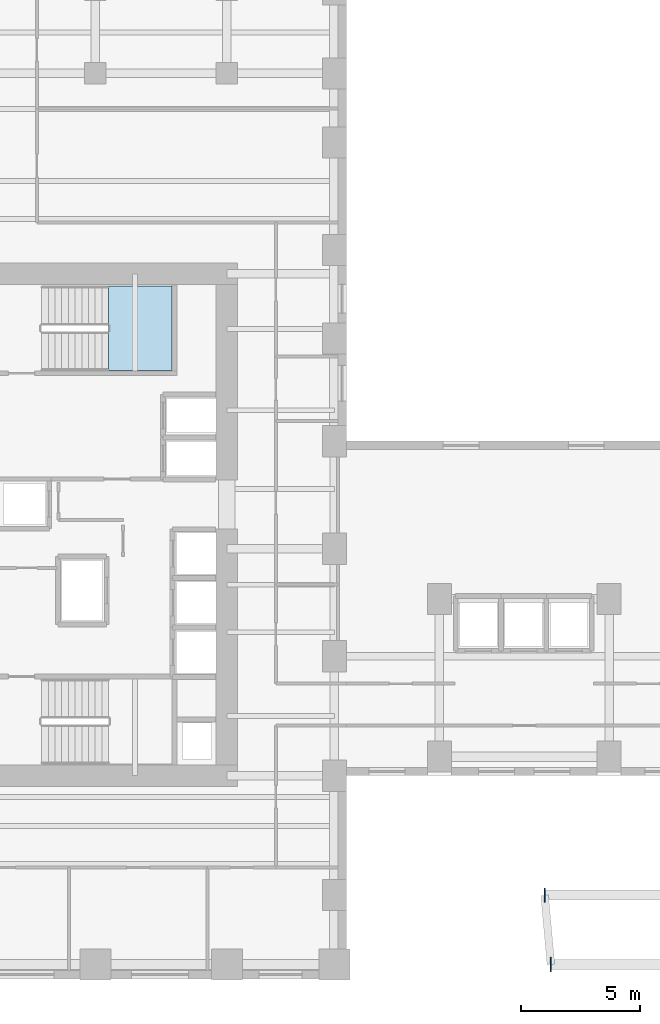
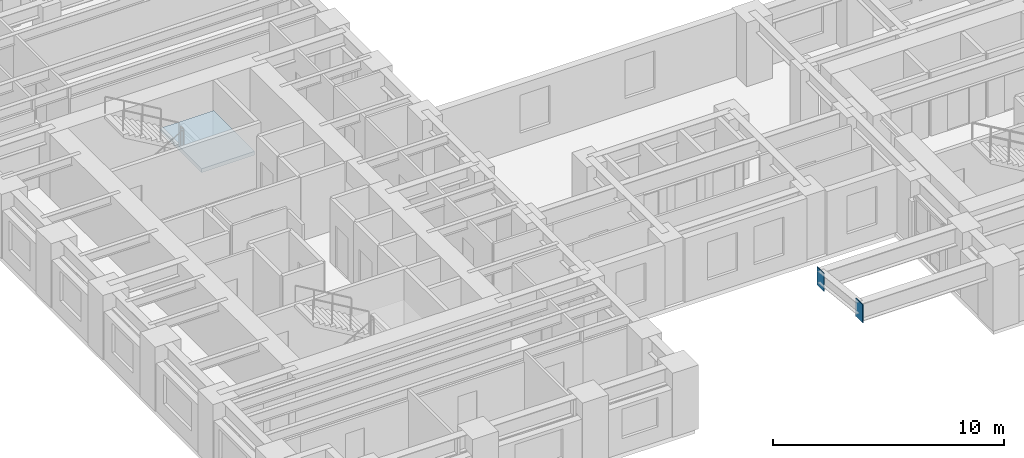
# One storey, part 5 of 14: 2 plates, 1 slab, 1 element without a shape of its own.
"""IFC4 building model written with IfcOpenShell, lengths in metres."""

import ifcopenshell
import ifcopenshell.guid

model = None  # the IFC model being written
_history = None  # IfcOwnerHistory: only IFC2X3 demands one
_inside = {}  # id of a spatial element -> (the spatial element, [elements in it])
_under = {}  # id of a project, library or spatial element -> (it, [spatial elements below it])
_declared = {}  # id of a project -> (the project, [libraries it declares])
_typed = {}  # id of a type object -> (the type object, [elements of that type])
_made_of = {}  # id of a material, layer set ... -> (it, [elements and type objects made of it])


def new_model(schema):
    """Start an empty IFC model of exactly this schema.

    Asked for "IFC4X3", IfcOpenShell would pick the latest addendum, in which some entities
    have other attributes; the version numbers below select the first issue.
    IFC2X3 requires an IfcOwnerHistory on every rooted entity: one is made here for all.
    """
    global model, _history
    if schema == "IFC4X3":
        model = ifcopenshell.file(schema_version=(4, 3, 0, 0))
    else:
        model = ifcopenshell.file(schema=schema)
    _inside.clear()
    _under.clear()
    _declared.clear()
    _typed.clear()
    _made_of.clear()
    _history = None
    if model.schema == "IFC2X3":
        org = make("IfcOrganization", Name="unknown")
        user = make(
            "IfcPersonAndOrganization",
            ThePerson=make("IfcPerson", FamilyName="unknown"),
            TheOrganization=org,
        )
        app = make(
            "IfcApplication",
            ApplicationDeveloper=org,
            Version="unknown",
            ApplicationFullName="unknown",
            ApplicationIdentifier="unknown",
        )
        _history = make(
            "IfcOwnerHistory",
            OwningUser=user,
            OwningApplication=app,
            ChangeAction="ADDED",
            CreationDate=0,
        )
    return model


def make(cls, **values):
    """One entity of the class cls with the attributes given. An attribute that is None is left unset."""
    return model.create_entity(
        cls, **{name: value for name, value in values.items() if value is not None}
    )


def rooted(cls, **values):
    """An entity with a GlobalId (a new one), such as an element, a storey or a relation."""
    return make(cls, GlobalId=ifcopenshell.guid.new(), OwnerHistory=_history, **values)


def si_unit(unit_type, name, prefix=None):
    """IfcSIUnit, for example si_unit("LENGTHUNIT", "METRE", prefix="MILLI")."""
    return make("IfcSIUnit", UnitType=unit_type, Prefix=prefix, Name=name)


def assignment(units):
    """IfcUnitAssignment: the units of a project."""
    return None if units is None else make("IfcUnitAssignment", Units=units)


def point(xyz):
    """IfcCartesianPoint."""
    return None if xyz is None else make("IfcCartesianPoint", Coordinates=xyz)


def direction(xyz):
    """IfcDirection."""
    return None if xyz is None else make("IfcDirection", DirectionRatios=xyz)


def frame(location, z_axis=None, x_axis=None):
    """IfcAxis2Placement3D, a coordinate frame: its origin and axes. An axis left out is left unset."""
    return make(
        "IfcAxis2Placement3D",
        Location=point(location),
        Axis=direction(z_axis),
        RefDirection=direction(x_axis),
    )


def frame_2d(location, x_axis=None):
    """IfcAxis2Placement2D, a coordinate frame in the plane: its origin and x axis."""
    return make(
        "IfcAxis2Placement2D", Location=point(location), RefDirection=direction(x_axis)
    )


def origin():
    """The frame at (0, 0, 0) with its axes left unset."""
    return frame((0.0, 0.0, 0.0))


def origin_2d():
    """The frame at (0, 0) in the plane with its x axis left unset."""
    return frame_2d((0.0, 0.0))


def place(relative_to, where):
    """IfcLocalPlacement: puts the frame where relative to a parent placement (None: the world)."""
    return make(
        "IfcLocalPlacement", PlacementRelTo=relative_to, RelativePlacement=where
    )


def context(
    kind, dimensions, precision=None, world=None, true_north=None, identifier=None
):
    """IfcGeometricRepresentationContext, for example the 3D "Model" context."""
    return make(
        "IfcGeometricRepresentationContext",
        ContextIdentifier=identifier,
        ContextType=kind,
        CoordinateSpaceDimension=dimensions,
        Precision=precision,
        WorldCoordinateSystem=world,
        TrueNorth=true_north,
    )


def subcontext(parent, identifier, kind, view, scale=None):
    """IfcGeometricRepresentationSubContext, for example "Body" below "Model"."""
    return make(
        "IfcGeometricRepresentationSubContext",
        ContextIdentifier=identifier,
        ContextType=kind,
        ParentContext=parent,
        TargetScale=scale,
        TargetView=view,
    )


def project(units=None, contexts=None):
    """IfcProject with its units and contexts."""
    return rooted(
        "IfcProject",
        Name="project",
        RepresentationContexts=contexts,
        UnitsInContext=assignment(units),
    )


def spatial(cls, under=None, at=None, **own):
    """A site, building, storey or space (cls), placed at a placement, below another one or the project."""
    s = rooted(cls, ObjectPlacement=at, **own)
    if under is not None:
        _under.setdefault(under.id(), (under, []))[1].append(s)
    return s


def polyline(points):
    """IfcPolyline through the points."""
    return make("IfcPolyline", Points=[point(p) for p in points])


def profile(cls, at=None, kind="AREA", **sizes):
    """A parametric profile (cls). Its sizes go by their IFC names, for example OverallWidth=200.0."""
    return make(cls, ProfileType=kind, Position=at, **sizes)


def rectangle(**sizes):
    """IfcRectangleProfileDef."""
    return profile("IfcRectangleProfileDef", **sizes)


def outline(outer, holes=None, kind="AREA"):
    """IfcArbitraryClosedProfileDef: a profile drawn as a closed curve; with holes, ...WithVoids."""
    if holes is None:
        return make("IfcArbitraryClosedProfileDef", ProfileType=kind, OuterCurve=outer)
    return make(
        "IfcArbitraryProfileDefWithVoids",
        ProfileType=kind,
        OuterCurve=outer,
        InnerCurves=holes,
    )


def extrude(swept, where, along, depth):
    """IfcExtrudedAreaSolid: the profile swept, set in the frame where, extruded along a direction by depth."""
    return make(
        "IfcExtrudedAreaSolid",
        SweptArea=swept,
        Position=where,
        ExtrudedDirection=direction(along),
        Depth=depth,
    )


def shape(context_of_items, identifier, shape_type, items):
    """IfcShapeRepresentation: the items that make up one representation, for example the "Body"."""
    return make(
        "IfcShapeRepresentation",
        ContextOfItems=context_of_items,
        RepresentationIdentifier=identifier,
        RepresentationType=shape_type,
        Items=items,
    )


def source(mapping_origin, context_of_items, identifier, shape_type, items):
    """IfcRepresentationMap: a shape defined once, which mapped items show again and again."""
    return make(
        "IfcRepresentationMap",
        MappingOrigin=mapping_origin,
        MappedRepresentation=shape(context_of_items, identifier, shape_type, items),
    )


def transform(
    local_origin,
    x_axis=None,
    y_axis=None,
    z_axis=None,
    scale=None,
    scale2=None,
    scale3=None,
    uniform=True,
):
    """IfcCartesianTransformationOperator3D, or its non-uniform kind. x_axis, y_axis, z_axis: its Axis1, 2, 3."""
    if uniform:
        return make(
            "IfcCartesianTransformationOperator3D",
            Axis1=direction(x_axis),
            Axis2=direction(y_axis),
            LocalOrigin=point(local_origin),
            Scale=scale,
            Axis3=direction(z_axis),
        )
    return make(
        "IfcCartesianTransformationOperator3DnonUniform",
        Axis1=direction(x_axis),
        Axis2=direction(y_axis),
        LocalOrigin=point(local_origin),
        Scale=scale,
        Axis3=direction(z_axis),
        Scale2=scale2,
        Scale3=scale3,
    )


def mapped(mapping_source, mapping_target):
    """IfcMappedItem: shows the shape of a source again, moved by a transform."""
    return make(
        "IfcMappedItem", MappingSource=mapping_source, MappingTarget=mapping_target
    )


def material(Name=None, Category=None):
    """IfcMaterial."""
    return make("IfcMaterial", Name=Name, Category=Category)


def layer(
    of_material, thickness, ventilated=None, Name=None, Category=None, Priority=None
):
    """IfcMaterialLayer: one layer of a wall or slab, of a material (None: an air gap)."""
    return make(
        "IfcMaterialLayer",
        Material=of_material,
        LayerThickness=thickness,
        IsVentilated=ventilated,
        Name=Name,
        Category=Category,
        Priority=Priority,
    )


def layer_set(layers, Name=None):
    """IfcMaterialLayerSet."""
    return make("IfcMaterialLayerSet", MaterialLayers=layers, LayerSetName=Name)


def made_of(thing, what):
    """Note that an element or type object is made of a material, layer set ...; save() writes the relation."""
    if what is not None:
        _made_of.setdefault(what.id(), (what, []))[1].append(thing)
    return thing


def type_object(cls, material=None, **own):
    """A type object (cls), such as IfcWallType, which elements share."""
    return made_of(rooted(cls, **own), material)


def element(
    cls,
    number,
    at=None,
    inside=None,
    cuts=None,
    type_object=None,
    material=None,
    context=None,
    identifier="Body",
    shape_type=None,
    held_by="IfcProductDefinitionShape",
    body=None,
    shapes=None,
    **own,
):
    """One element of the class cls, such as IfcWall. Its Tag is "e" and its number.

    at: its placement. inside: the storey or other place that contains it. cuts: it is an
    opening in that element (IfcRelVoidsElement). A single representation is given by context,
    identifier, shape_type and body (its items); several are given by shapes. held_by: the class
    of the entity that holds the representations. save() writes the other relations.
    """
    e = rooted(cls, Tag="e%d" % number, ObjectPlacement=at, **own)
    if body is not None:
        shapes = [shape(context, identifier, shape_type, body)]
    if shapes is not None:
        e.Representation = make(held_by, Representations=shapes)
    if inside is not None:
        _inside.setdefault(inside.id(), (inside, []))[1].append(e)
    if cuts is not None:
        rooted(
            "IfcRelVoidsElement", RelatingBuildingElement=cuts, RelatedOpeningElement=e
        )
    if type_object is not None:
        _typed.setdefault(type_object.id(), (type_object, []))[1].append(e)
    return made_of(e, material)


def aggregate(whole, parts):
    """IfcRelAggregates: a whole, such as a stair, and the parts it consists of."""
    return rooted("IfcRelAggregates", RelatingObject=whole, RelatedObjects=parts)


def save(model, path):
    """Write the relations noted so far, then the file.

    IfcRelAggregates (storeys below a building ...), IfcRelContainedInSpatialStructure (elements
    in a storey), IfcRelDefinesByType, IfcRelAssociatesMaterial and IfcRelDeclares: one each for
    every whole, place, type object, material and project.
    """
    for whole, parts in _under.values():
        aggregate(whole, parts)
    for where, things in _inside.values():
        rooted(
            "IfcRelContainedInSpatialStructure",
            RelatedElements=things,
            RelatingStructure=where,
        )
    for kind, things in _typed.values():
        rooted("IfcRelDefinesByType", RelatedObjects=things, RelatingType=kind)
    for what, things in _made_of.values():
        rooted("IfcRelAssociatesMaterial", RelatedObjects=things, RelatingMaterial=what)
    for by, libraries in _declared.values():
        rooted("IfcRelDeclares", RelatingContext=by, RelatedDefinitions=libraries)
    model.write(path)


model = new_model("IFC4")

# Units and contexts
model_context = context("Model", 3, precision=1e-05, world=origin(), true_north=direction((0.0, 1.0)))
body_context = subcontext(model_context, "Body", "Model", "MODEL_VIEW")
ifc_project = project(units=[si_unit("LENGTHUNIT", "METRE"), si_unit("AREAUNIT", "SQUARE_METRE"), si_unit("VOLUMEUNIT", "CUBIC_METRE"), si_unit("PLANEANGLEUNIT", "RADIAN"), si_unit("MASSUNIT", "GRAM", prefix="KILO")], contexts=[model_context])

# Site, building, storey
site_placement = place(None, origin())
site = spatial("IfcSite", under=ifc_project, at=site_placement, CompositionType="ELEMENT")
building_placement = place(site_placement, origin())
building = spatial("IfcBuilding", under=site, at=building_placement, Name="Kharzan Plaza Tower", CompositionType="ELEMENT")
storey_placement = place(building_placement, frame((0.0, 0.0, 44.10009765625)))
storey = spatial("IfcBuildingStorey", under=building, at=storey_placement, Name="L11", CompositionType="ELEMENT", Elevation=44.10009765625)

# Stair, slab
ifc_material_1 = material(Name="Concrete C40/50", Category="concrete")
stair_type = type_object("IfcStairType", Name="STR-ST-2", PredefinedType="HALF_TURN_STAIR", material=ifc_material_1)
stair_placement = place(storey_placement, origin())
stair = element("IfcStair", 1, at=stair_placement, inside=storey, type_object=stair_type, Name="L11 Protected Exit Stair ST-2", PredefinedType="HALF_TURN_STAIR")
ifc_layer_1 = layer(ifc_material_1, 0.219970703125)
ifc_layer_set_1 = layer_set([ifc_layer_1], Name="Concrete C40/50")
slab_type = type_object("IfcSlabType", Name="SL-LANDING-220", PredefinedType="LANDING", material=ifc_layer_set_1)
slab_placement = place(storey_placement, frame((0.0, 0.0, 1.599853515625)))
slab = element("IfcSlab", 2, at=slab_placement, type_object=slab_type, Name="ST-2 landing 1", PredefinedType="LANDING", context=body_context, shape_type="SweptSolid", body=[
    extrude(outline(polyline([(9.550048828125, 25.449951171875), (12.199951171875, 25.449951171875), (12.199951171875, 29.0), (9.550048828125, 29.0), (9.550048828125, 25.449951171875)])), origin(), (0.0, 0.0, 1.0), 0.199951171875),
])
aggregate(stair, [slab])

# Plates
ifc_material_2 = material(Name="Steel S460", Category="steel")
ifc_layer_2 = layer(ifc_material_2, 0.0419921875)
ifc_layer_set_2 = layer_set([ifc_layer_2], Name="Steel S460")
plate_type = type_object("IfcPlateType", Name="PLT-ZTN1", PredefinedType="USERDEFINED", material=ifc_layer_set_2)
shared_shape = source(origin(), body_context, "Body", "SweptSolid", [
    extrude(rectangle(XDim=0.60009765625, YDim=0.0419921875, at=origin_2d()), origin(), (0.0, 0.0, 1.0), 0.949951171875),
])
for number, where, z_axis, x_axis, name in (
    (3, (28.06396484375, 0.60009765625, 2.4365234375), (0.0, 0.0, 1.0), (0.0, 1.0, 0.0), "L11 Sky-Terrace Cantilever Tip Plate ZTN1"),
    (4, (27.800048828125, 3.5, 2.4365234375), (0.0, 0.0, 1.0), (0.0, 1.0, 0.0), "L11 Sky-Terrace Cantilever Tip Plate ZTN1"),
):
    element("IfcPlate", number, at=place(storey_placement, frame(where, z_axis=z_axis, x_axis=x_axis)), inside=storey, type_object=plate_type, Name=name, ObjectType="FLANGE_PLATE", PredefinedType="USERDEFINED", context=body_context, shape_type="MappedRepresentation", body=[
        mapped(shared_shape, transform((0.0, 0.0, 0.0), x_axis=(1.0, 0.0, 0.0), y_axis=(0.0, 1.0, 0.0), z_axis=(0.0, 0.0, 1.0))),
    ])

save(model, "model.ifc")
